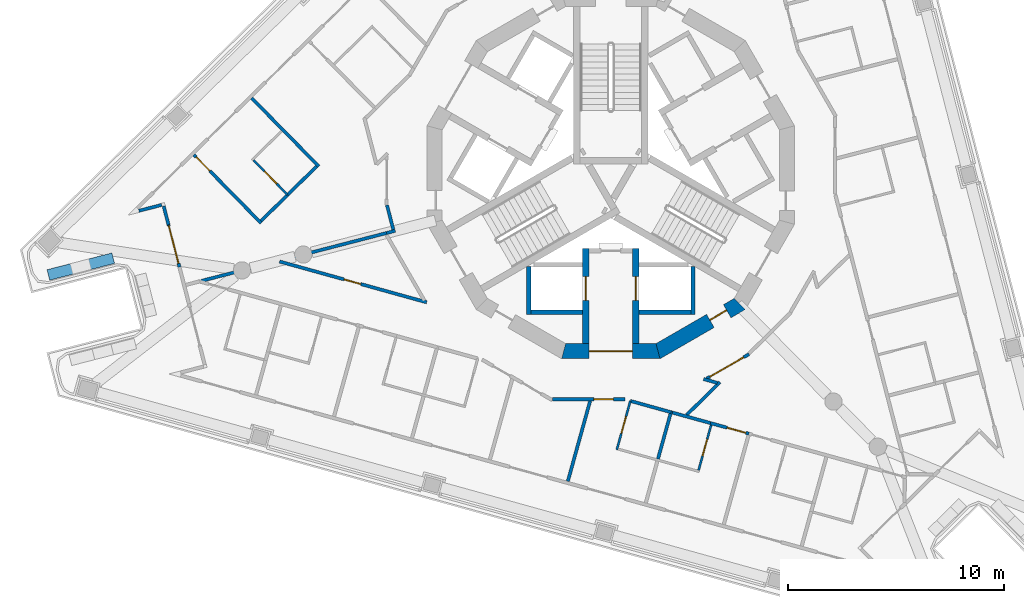
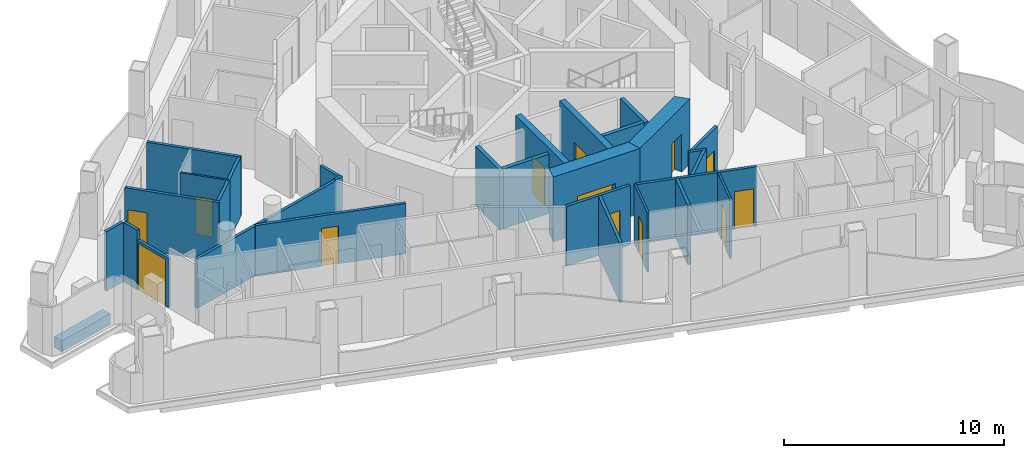
# One storey, part 3 of 15: 32 walls, 13 doors, 13 openings.
"""IFC4 building model written with IfcOpenShell, lengths in metres."""

import ifcopenshell
import ifcopenshell.guid

model = None  # the IFC model being written
_history = None  # IfcOwnerHistory: only IFC2X3 demands one
_inside = {}  # id of a spatial element -> (the spatial element, [elements in it])
_under = {}  # id of a project, library or spatial element -> (it, [spatial elements below it])
_declared = {}  # id of a project -> (the project, [libraries it declares])
_typed = {}  # id of a type object -> (the type object, [elements of that type])
_made_of = {}  # id of a material, layer set ... -> (it, [elements and type objects made of it])


def new_model(schema):
    """Start an empty IFC model of exactly this schema.

    Asked for "IFC4X3", IfcOpenShell would pick the latest addendum, in which some entities
    have other attributes; the version numbers below select the first issue.
    IFC2X3 requires an IfcOwnerHistory on every rooted entity: one is made here for all.
    """
    global model, _history
    if schema == "IFC4X3":
        model = ifcopenshell.file(schema_version=(4, 3, 0, 0))
    else:
        model = ifcopenshell.file(schema=schema)
    _inside.clear()
    _under.clear()
    _declared.clear()
    _typed.clear()
    _made_of.clear()
    _history = None
    if model.schema == "IFC2X3":
        org = make("IfcOrganization", Name="unknown")
        user = make(
            "IfcPersonAndOrganization",
            ThePerson=make("IfcPerson", FamilyName="unknown"),
            TheOrganization=org,
        )
        app = make(
            "IfcApplication",
            ApplicationDeveloper=org,
            Version="unknown",
            ApplicationFullName="unknown",
            ApplicationIdentifier="unknown",
        )
        _history = make(
            "IfcOwnerHistory",
            OwningUser=user,
            OwningApplication=app,
            ChangeAction="ADDED",
            CreationDate=0,
        )
    return model


def make(cls, **values):
    """One entity of the class cls with the attributes given. An attribute that is None is left unset."""
    return model.create_entity(
        cls, **{name: value for name, value in values.items() if value is not None}
    )


def rooted(cls, **values):
    """An entity with a GlobalId (a new one), such as an element, a storey or a relation."""
    return make(cls, GlobalId=ifcopenshell.guid.new(), OwnerHistory=_history, **values)


def si_unit(unit_type, name, prefix=None):
    """IfcSIUnit, for example si_unit("LENGTHUNIT", "METRE", prefix="MILLI")."""
    return make("IfcSIUnit", UnitType=unit_type, Prefix=prefix, Name=name)


def assignment(units):
    """IfcUnitAssignment: the units of a project."""
    return None if units is None else make("IfcUnitAssignment", Units=units)


def point(xyz):
    """IfcCartesianPoint."""
    return None if xyz is None else make("IfcCartesianPoint", Coordinates=xyz)


def direction(xyz):
    """IfcDirection."""
    return None if xyz is None else make("IfcDirection", DirectionRatios=xyz)


def frame(location, z_axis=None, x_axis=None):
    """IfcAxis2Placement3D, a coordinate frame: its origin and axes. An axis left out is left unset."""
    return make(
        "IfcAxis2Placement3D",
        Location=point(location),
        Axis=direction(z_axis),
        RefDirection=direction(x_axis),
    )


def frame_2d(location, x_axis=None):
    """IfcAxis2Placement2D, a coordinate frame in the plane: its origin and x axis."""
    return make(
        "IfcAxis2Placement2D", Location=point(location), RefDirection=direction(x_axis)
    )


def origin():
    """The frame at (0, 0, 0) with its axes left unset."""
    return frame((0.0, 0.0, 0.0))


def place(relative_to, where):
    """IfcLocalPlacement: puts the frame where relative to a parent placement (None: the world)."""
    return make(
        "IfcLocalPlacement", PlacementRelTo=relative_to, RelativePlacement=where
    )


def context(
    kind, dimensions, precision=None, world=None, true_north=None, identifier=None
):
    """IfcGeometricRepresentationContext, for example the 3D "Model" context."""
    return make(
        "IfcGeometricRepresentationContext",
        ContextIdentifier=identifier,
        ContextType=kind,
        CoordinateSpaceDimension=dimensions,
        Precision=precision,
        WorldCoordinateSystem=world,
        TrueNorth=true_north,
    )


def subcontext(parent, identifier, kind, view, scale=None):
    """IfcGeometricRepresentationSubContext, for example "Body" below "Model"."""
    return make(
        "IfcGeometricRepresentationSubContext",
        ContextIdentifier=identifier,
        ContextType=kind,
        ParentContext=parent,
        TargetScale=scale,
        TargetView=view,
    )


def project(units=None, contexts=None):
    """IfcProject with its units and contexts."""
    return rooted(
        "IfcProject",
        Name="project",
        RepresentationContexts=contexts,
        UnitsInContext=assignment(units),
    )


def spatial(cls, under=None, at=None, **own):
    """A site, building, storey or space (cls), placed at a placement, below another one or the project."""
    s = rooted(cls, ObjectPlacement=at, **own)
    if under is not None:
        _under.setdefault(under.id(), (under, []))[1].append(s)
    return s


def polyline(points):
    """IfcPolyline through the points."""
    return make("IfcPolyline", Points=[point(p) for p in points])


def profile(cls, at=None, kind="AREA", **sizes):
    """A parametric profile (cls). Its sizes go by their IFC names, for example OverallWidth=200.0."""
    return make(cls, ProfileType=kind, Position=at, **sizes)


def rectangle(**sizes):
    """IfcRectangleProfileDef."""
    return profile("IfcRectangleProfileDef", **sizes)


def outline(outer, holes=None, kind="AREA"):
    """IfcArbitraryClosedProfileDef: a profile drawn as a closed curve; with holes, ...WithVoids."""
    if holes is None:
        return make("IfcArbitraryClosedProfileDef", ProfileType=kind, OuterCurve=outer)
    return make(
        "IfcArbitraryProfileDefWithVoids",
        ProfileType=kind,
        OuterCurve=outer,
        InnerCurves=holes,
    )


def extrude(swept, where, along, depth):
    """IfcExtrudedAreaSolid: the profile swept, set in the frame where, extruded along a direction by depth."""
    return make(
        "IfcExtrudedAreaSolid",
        SweptArea=swept,
        Position=where,
        ExtrudedDirection=direction(along),
        Depth=depth,
    )


def shape(context_of_items, identifier, shape_type, items):
    """IfcShapeRepresentation: the items that make up one representation, for example the "Body"."""
    return make(
        "IfcShapeRepresentation",
        ContextOfItems=context_of_items,
        RepresentationIdentifier=identifier,
        RepresentationType=shape_type,
        Items=items,
    )


def material(Name=None, Category=None):
    """IfcMaterial."""
    return make("IfcMaterial", Name=Name, Category=Category)


def layer(
    of_material, thickness, ventilated=None, Name=None, Category=None, Priority=None
):
    """IfcMaterialLayer: one layer of a wall or slab, of a material (None: an air gap)."""
    return make(
        "IfcMaterialLayer",
        Material=of_material,
        LayerThickness=thickness,
        IsVentilated=ventilated,
        Name=Name,
        Category=Category,
        Priority=Priority,
    )


def layer_set(layers, Name=None):
    """IfcMaterialLayerSet."""
    return make("IfcMaterialLayerSet", MaterialLayers=layers, LayerSetName=Name)


def made_of(thing, what):
    """Note that an element or type object is made of a material, layer set ...; save() writes the relation."""
    if what is not None:
        _made_of.setdefault(what.id(), (what, []))[1].append(thing)
    return thing


def type_object(cls, material=None, **own):
    """A type object (cls), such as IfcWallType, which elements share."""
    return made_of(rooted(cls, **own), material)


def element(
    cls,
    number,
    at=None,
    inside=None,
    cuts=None,
    type_object=None,
    material=None,
    context=None,
    identifier="Body",
    shape_type=None,
    held_by="IfcProductDefinitionShape",
    body=None,
    shapes=None,
    **own,
):
    """One element of the class cls, such as IfcWall. Its Tag is "e" and its number.

    at: its placement. inside: the storey or other place that contains it. cuts: it is an
    opening in that element (IfcRelVoidsElement). A single representation is given by context,
    identifier, shape_type and body (its items); several are given by shapes. held_by: the class
    of the entity that holds the representations. save() writes the other relations.
    """
    e = rooted(cls, Tag="e%d" % number, ObjectPlacement=at, **own)
    if body is not None:
        shapes = [shape(context, identifier, shape_type, body)]
    if shapes is not None:
        e.Representation = make(held_by, Representations=shapes)
    if inside is not None:
        _inside.setdefault(inside.id(), (inside, []))[1].append(e)
    if cuts is not None:
        rooted(
            "IfcRelVoidsElement", RelatingBuildingElement=cuts, RelatedOpeningElement=e
        )
    if type_object is not None:
        _typed.setdefault(type_object.id(), (type_object, []))[1].append(e)
    return made_of(e, material)


def fill(opening, filler):
    """IfcRelFillsElement: the door or window that sits in an opening."""
    return rooted(
        "IfcRelFillsElement",
        RelatingOpeningElement=opening,
        RelatedBuildingElement=filler,
    )


def aggregate(whole, parts):
    """IfcRelAggregates: a whole, such as a stair, and the parts it consists of."""
    return rooted("IfcRelAggregates", RelatingObject=whole, RelatedObjects=parts)


def save(model, path):
    """Write the relations noted so far, then the file.

    IfcRelAggregates (storeys below a building ...), IfcRelContainedInSpatialStructure (elements
    in a storey), IfcRelDefinesByType, IfcRelAssociatesMaterial and IfcRelDeclares: one each for
    every whole, place, type object, material and project.
    """
    for whole, parts in _under.values():
        aggregate(whole, parts)
    for where, things in _inside.values():
        rooted(
            "IfcRelContainedInSpatialStructure",
            RelatedElements=things,
            RelatingStructure=where,
        )
    for kind, things in _typed.values():
        rooted("IfcRelDefinesByType", RelatedObjects=things, RelatingType=kind)
    for what, things in _made_of.values():
        rooted("IfcRelAssociatesMaterial", RelatedObjects=things, RelatingMaterial=what)
    for by, libraries in _declared.values():
        rooted("IfcRelDeclares", RelatingContext=by, RelatedDefinitions=libraries)
    model.write(path)


model = new_model("IFC4")

# Units and contexts
model_context = context("Model", 3, precision=1e-05, world=origin(), true_north=direction((0.0, 1.0)))
body_context = subcontext(model_context, "Body", "Model", "MODEL_VIEW")
ifc_project = project(units=[si_unit("LENGTHUNIT", "METRE"), si_unit("AREAUNIT", "SQUARE_METRE"), si_unit("VOLUMEUNIT", "CUBIC_METRE"), si_unit("PLANEANGLEUNIT", "RADIAN"), si_unit("MASSUNIT", "GRAM", prefix="KILO")], contexts=[model_context])

# Site, building, storey
site_placement = place(None, origin())
site = spatial("IfcSite", under=ifc_project, at=site_placement, CompositionType="ELEMENT")
building_placement = place(site_placement, origin())
building = spatial("IfcBuilding", under=site, at=building_placement, Name="Trine Commons Tower", CompositionType="ELEMENT")
storey_placement = place(building_placement, frame((0.0, 0.0, 260.10009765625)))
storey = spatial("IfcBuildingStorey", under=building, at=storey_placement, Name="L68", CompositionType="ELEMENT", Elevation=260.10009765625)

# Wall, opening, door
ifc_material_1 = material(Name="Aluminium-framed insulated wall panel", Category="aluminium")
ifc_layer_1 = layer(ifc_material_1, 0.14990234375)
ifc_layer_set_1 = layer_set([ifc_layer_1], Name="Aluminium-framed insulated wall panel")
wall_type_1 = type_object("IfcWallType", Name="Glazed frame wall 150, EI 60", PredefinedType="SOLIDWALL", material=ifc_layer_set_1)
wall_1_placement = place(storey_placement, frame((60.0390625, 58.2451171875, 0.0), z_axis=(0.0, 0.0, 1.0), x_axis=(-0.250341838346, 0.968157509899, 0.0)))
wall_1 = element("IfcWall", 1, at=wall_1_placement, inside=storey, type_object=wall_type_1, Name="Glazed frame wall P3.4", PredefinedType="SOLIDWALL", context=body_context, shape_type="SweptSolid", body=[
    extrude(outline(polyline([(0.0, -0.074951171875), (2.021484375, -0.074951171875), (2.021484375, 0.074951171875), (0.0, 0.074951171875), (0.0, -0.074951171875)])), origin(), (0.0, 0.0, 1.0), 2.75),
])
opening_1_placement = place(wall_1_placement, frame((0.17138671875, 0.0, 0.0)))
opening_1 = element("IfcOpeningElement", 2, at=opening_1_placement, cuts=wall_1, Name="Opening BD-7P3-02", PredefinedType="OPENING", context=body_context, shape_type="SweptSolid", body=[
    extrude(rectangle(XDim=1.800048828125, YDim=2.60009765625, at=frame_2d((0.89990234375, 1.300048828125))), frame((0.0, 0.0849609375, 0.0), z_axis=(0.0, -1.0, 0.0), x_axis=(1.0, 0.0, 0.0)), (0.0, 0.0, 1.0), 0.169921875),
])
ifc_material_2 = material(Name="Anodised aluminium frame with double glazing", Category="aluminium")
door_type_1 = type_object("IfcDoorType", Name="Sliding loggia door 1800x2600", OperationType="SLIDING_TO_LEFT", PredefinedType="DOOR", material=ifc_material_2)
door_1_placement = place(opening_1_placement, origin())
door_1 = element("IfcDoor", 3, at=door_1_placement, inside=storey, type_object=door_type_1, Name="Loggia door P3 2", OperationType="SLIDING_TO_LEFT", OverallHeight=2.60009765625, OverallWidth=1.800048828125, PredefinedType="DOOR", context=body_context, shape_type="SweptSolid", body=[
    extrude(rectangle(XDim=1.800048828125, YDim=2.60009765625, at=frame_2d((0.89990234375, 1.300048828125))), frame((0.0, 0.02490234375, 0.0), z_axis=(0.0, -1.0, 0.0), x_axis=(1.0, 0.0, 0.0)), (0.0, 0.0, 1.0), 0.050048828125),
])
fill(opening_1, door_1)

# Walls
wall_2_placement = place(storey_placement, frame((59.532958984375, 60.202392578125, 0.0), z_axis=(0.0, 0.0, 1.0), x_axis=(-0.250284169086, 0.968172419926, 0.0)))
element("IfcWall", 4, at=wall_2_placement, inside=storey, type_object=wall_type_1, Name="Glazed frame wall P3.5", PredefinedType="SOLIDWALL", context=body_context, shape_type="SweptSolid", body=[
    extrude(outline(polyline([(0.889892578125, 0.074951171875), (0.0, 0.074951171875), (0.0, -0.074951171875), (0.889892578125, -0.074951171875), (0.889892578125, 0.074951171875)])), origin(), (0.0, 0.0, 1.0), 3.2998046875),
])
wall_3_placement = place(storey_placement, frame((59.3251953125, 61.145263671875, 0.0), z_axis=(0.0, 0.0, 1.0), x_axis=(-0.968156774456, -0.250344682538, 0.0)))
element("IfcWall", 5, at=wall_3_placement, inside=storey, type_object=wall_type_1, Name="Glazed frame wall R12", PredefinedType="SOLIDWALL", context=body_context, shape_type="SweptSolid", body=[
    extrude(outline(polyline([(0.110107421875, 0.074951171875), (0.110107421875, -0.074951171875), (1.19580078125, -0.074951171875), (1.19580078125, 0.074951171875), (0.110107421875, 0.074951171875)])), origin(), (0.0, 0.0, 1.0), 3.2998046875),
])
ifc_material_3 = material(Name="Planter trough, precast concrete C40/50", Category="concrete")
ifc_layer_2 = layer(ifc_material_3, 0.5)
ifc_layer_set_2 = layer_set([ifc_layer_2], Name="Planter trough, precast concrete C40/50")
wall_type_2 = type_object("IfcWallType", Name="Planter trough 500x600", PredefinedType="PARAPET", material=ifc_layer_set_2)
wall_4_placement = place(storey_placement, frame((56.974609375, 58.65234375, 0.0), z_axis=(0.0, 0.0, 1.0), x_axis=(-0.968151190511, -0.250366276306, 0.0)))
element("IfcWall", 6, at=wall_4_placement, inside=storey, type_object=wall_type_2, Name="Planter 3", PredefinedType="PARAPET", context=body_context, shape_type="SweptSolid", body=[
    extrude(rectangle(XDim=3.099853515625, YDim=0.5, at=frame_2d((1.5498046875, 0.0))), origin(), (0.0, 0.0, 1.0), 0.599853515625),
])

# Wall, opening, door
ifc_material_4 = material(Name="Concrete C50/60", Category="concrete")
ifc_layer_3 = layer(ifc_material_4, 0.300048828125)
ifc_layer_set_3 = layer_set([ifc_layer_3], Name="Concrete C50/60")
wall_type_3 = type_object("IfcWallType", Name="RC shear wall 300 mm, C50/60", PredefinedType="SHEAR", material=ifc_layer_set_3)
wall_5_placement = place(storey_placement, frame((78.85009765625, 59.10009765625, 0.0), z_axis=(0.0, 0.0, 1.0), x_axis=(0.0, -1.0, 0.0)))
wall_5 = element("IfcWall", 7, at=wall_5_placement, inside=storey, type_object=wall_type_3, Name="Core cross wall SWC-03 L68", PredefinedType="SHEAR", context=body_context, shape_type="SweptSolid", body=[
    extrude(rectangle(XDim=4.400146484375, YDim=0.300048828125, at=frame_2d((2.2001953125, 0.0))), origin(), (0.0, 0.0, 1.0), 3.599853515625),
])
opening_2_placement = place(wall_5_placement, frame((1.300048828125, 0.0, 0.0)))
opening_2 = element("IfcOpeningElement", 8, at=opening_2_placement, cuts=wall_5, Name="Opening LD10", PredefinedType="OPENING", context=body_context, shape_type="SweptSolid", body=[
    extrude(rectangle(XDim=1.10009765625, YDim=2.10009765625, at=frame_2d((0.550048828125, 1.050048828125))), frame((0.0, 0.159912109375, 0.0), z_axis=(0.0, -1.0, 0.0), x_axis=(1.0, 0.0, 0.0)), (0.0, 0.0, 1.0), 0.320068359375),
])
ifc_material_5 = material(Name="Stainless steel sliding door leaves", Category="steel")
door_type_2 = type_object("IfcDoorType", Name="Lift landing door, centre-opening sliding 1100 x 2100, FD90", OperationType="DOUBLE_DOOR_SLIDING", PredefinedType="DOOR", material=ifc_material_5)
door_2_placement = place(opening_2_placement, origin())
door_2 = element("IfcDoor", 9, at=door_2_placement, inside=storey, type_object=door_type_2, Name="Lift landing door FF2 L68", OperationType="DOUBLE_DOOR_SLIDING", OverallHeight=2.10009765625, OverallWidth=1.10009765625, PredefinedType="DOOR", context=body_context, shape_type="SweptSolid", body=[
    extrude(rectangle(XDim=1.10009765625, YDim=2.10009765625, at=frame_2d((0.550048828125, 1.050048828125))), frame((0.0, 0.02490234375, 0.0), z_axis=(0.0, -1.0, 0.0), x_axis=(1.0, 0.0, 0.0)), (0.0, 0.0, 1.0), 0.050048828125),
])
fill(opening_2, door_2)

wall_6_placement = place(storey_placement, frame((81.14990234375, 59.10009765625, 0.0), z_axis=(0.0, 0.0, 1.0), x_axis=(0.0, -1.0, 0.0)))
wall_6 = element("IfcWall", 10, at=wall_6_placement, inside=storey, type_object=wall_type_3, Name="Core cross wall SWC-04 L68", PredefinedType="SHEAR", context=body_context, shape_type="SweptSolid", body=[
    extrude(rectangle(XDim=4.400146484375, YDim=0.300048828125, at=frame_2d((2.2001953125, 0.0))), origin(), (0.0, 0.0, 1.0), 3.599853515625),
])
opening_3_placement = place(wall_6_placement, frame((1.300048828125, 0.0, 0.0)))
opening_3 = element("IfcOpeningElement", 11, at=opening_3_placement, cuts=wall_6, Name="Opening LD9", PredefinedType="OPENING", context=body_context, shape_type="SweptSolid", body=[
    extrude(rectangle(XDim=1.10009765625, YDim=2.10009765625, at=frame_2d((0.550048828125, 1.050048828125))), frame((0.0, 0.159912109375, 0.0), z_axis=(0.0, -1.0, 0.0), x_axis=(1.0, 0.0, 0.0)), (0.0, 0.0, 1.0), 0.320068359375),
])
door_3_placement = place(opening_3_placement, origin())
door_3 = element("IfcDoor", 12, at=door_3_placement, inside=storey, type_object=door_type_2, Name="Lift landing door FF1 L68", OperationType="DOUBLE_DOOR_SLIDING", OverallHeight=2.10009765625, OverallWidth=1.10009765625, PredefinedType="DOOR", context=body_context, shape_type="SweptSolid", body=[
    extrude(rectangle(XDim=1.10009765625, YDim=2.10009765625, at=frame_2d((0.550048828125, 1.050048828125))), frame((0.0, 0.02490234375, 0.0), z_axis=(0.0, -1.0, 0.0), x_axis=(1.0, 0.0, 0.0)), (0.0, 0.0, 1.0), 0.050048828125),
])
fill(opening_3, door_3)

ifc_layer_4 = layer(ifc_material_4, 0.699951171875)
ifc_layer_set_4 = layer_set([ifc_layer_4], Name="Concrete C50/60")
wall_type_4 = type_object("IfcWallType", Name="RC shear wall 700 mm, C50/60", PredefinedType="SHEAR", material=ifc_layer_set_4)
wall_7_placement = place(storey_placement, frame((77.722412109375, 54.349853515625, 0.0), z_axis=(0.0, 0.0, 1.0), x_axis=(1.0, 0.0, 0.0)))
wall_7 = element("IfcWall", 13, at=wall_7_placement, inside=storey, type_object=wall_type_4, Name="Core wall CWG-10 L68", PredefinedType="SHEAR", context=body_context, shape_type="SweptSolid", body=[
    extrude(outline(polyline([(0.0, -0.35009765625), (4.55517578125, -0.35009765625), (4.36767578125, 0.35009765625), (0.1875, 0.35009765625), (0.0, -0.35009765625)])), origin(), (0.0, 0.0, 1.0), 3.599853515625),
])
opening_4_placement = place(wall_7_placement, frame((1.277587890625, 0.0, 0.0)))
opening_4 = element("IfcOpeningElement", 14, at=opening_4_placement, cuts=wall_7, Name="Opening K16.08", PredefinedType="OPENING", context=body_context, shape_type="SweptSolid", body=[
    extrude(rectangle(XDim=2.0, YDim=2.10009765625, at=frame_2d((1.0, 1.050048828125))), frame((0.0, 0.35986328125, 0.0), z_axis=(0.0, -1.0, 0.0), x_axis=(1.0, 0.0, 0.0)), (0.0, 0.0, 1.0), 0.719970703125),
])
ifc_material_6 = material(Name="Steel door leaves, fire-rated", Category="steel")
door_type_3 = type_object("IfcDoorType", Name="Lobby door, double leaf 2000 x 2100, FD60", OperationType="DOUBLE_DOOR_SINGLE_SWING", PredefinedType="DOOR", material=ifc_material_6)
door_4_placement = place(opening_4_placement, origin())
door_4 = element("IfcDoor", 15, at=door_4_placement, inside=storey, type_object=door_type_3, Name="Lobby door, Service and firefighting lobby L68", OperationType="DOUBLE_DOOR_SINGLE_SWING", OverallHeight=2.10009765625, OverallWidth=2.0, PredefinedType="DOOR", context=body_context, shape_type="SweptSolid", body=[
    extrude(rectangle(XDim=2.0, YDim=2.10009765625, at=frame_2d((1.0, 1.050048828125))), frame((0.0, 0.02490234375, 0.0), z_axis=(0.0, -1.0, 0.0), x_axis=(1.0, 0.0, 0.0)), (0.0, 0.0, 1.0), 0.050048828125),
])
fill(opening_4, door_4)

wall_8_placement = place(storey_placement, frame((82.1025390625, 54.302978515625, 0.0), z_axis=(0.0, 0.0, 1.0), x_axis=(0.866034756103, 0.499983800959, 0.0)))
wall_8 = element("IfcWall", 16, at=wall_8_placement, inside=storey, type_object=wall_type_4, Name="Core wall CWG-11 L68", PredefinedType="SHEAR", context=body_context, shape_type="SweptSolid", body=[
    extrude(outline(polyline([(0.0, -0.35009765625), (4.55517578125, -0.35009765625), (4.36767578125, 0.35009765625), (0.1875, 0.35009765625), (0.0, -0.35009765625)])), origin(), (0.0, 0.0, 1.0), 3.599853515625),
])
opening_5_placement = place(wall_8_placement, frame((2.891845703125, 0.0, 0.0)))
opening_5 = element("IfcOpeningElement", 17, at=opening_5_placement, cuts=wall_8, Name="Opening K16.16", PredefinedType="OPENING", context=body_context, shape_type="SweptSolid", body=[
    extrude(rectangle(XDim=0.89990234375, YDim=2.10009765625, at=frame_2d((0.449951171875, 1.050048828125))), frame((0.0, 0.35986328125, 0.0), z_axis=(0.0, -1.0, 0.0), x_axis=(1.0, 0.0, 0.0)), (0.0, 0.0, 1.0), 0.719970703125),
])
ifc_material_7 = material(Name="Steel door leaf, fire-rated", Category="steel")
door_type_4 = type_object("IfcDoorType", Name="Core room door, single leaf 900 x 2100, FD30S", OperationType="SINGLE_SWING_LEFT", PredefinedType="DOOR", material=ifc_material_7)
door_5_placement = place(opening_5_placement, origin())
door_5 = element("IfcDoor", 18, at=door_5_placement, inside=storey, type_object=door_type_4, Name="Door to Core WC L68", OperationType="SINGLE_SWING_RIGHT", OverallHeight=2.10009765625, OverallWidth=0.89990234375, PredefinedType="DOOR", context=body_context, shape_type="SweptSolid", body=[
    extrude(rectangle(XDim=0.89990234375, YDim=2.10009765625, at=frame_2d((0.449951171875, 1.050048828125))), frame((0.0, 0.0751953125, 0.0), z_axis=(0.0, -1.0, 0.0), x_axis=(1.0, 0.0, 0.0)), (0.0, 0.0, 1.0), 0.050048828125),
])
fill(opening_5, door_5)

# Walls
ifc_material_8 = material(Name="Fire-rated gypsum shaft wall system")
ifc_layer_5 = layer(ifc_material_8, 0.199951171875)
ifc_layer_set_5 = layer_set([ifc_layer_5], Name="Fire-rated gypsum shaft wall system")
wall_type_5 = type_object("IfcWallType", Name="Shaft wall 200 mm, EI 120", PredefinedType="PARTITIONING", material=ifc_layer_set_5)
wall_9_placement = place(storey_placement, frame((76.199951171875, 58.257080078125, 0.0), z_axis=(0.0, 0.0, 1.0), x_axis=(0.0, -1.0, 0.0)))
element("IfcWall", 19, at=wall_9_placement, inside=storey, type_object=wall_type_5, Name="Shaft wall L68", PredefinedType="PARTITIONING", context=body_context, shape_type="SweptSolid", body=[
    extrude(rectangle(XDim=2.20703125, YDim=0.199951171875, at=frame_2d((1.103515625, 0.0))), origin(), (0.0, 0.0, 1.0), 3.2998046875),
])
for number, where, z_axis, x_axis, name in (
    (20, (78.699951171875, 56.14990234375, 0.0), (0.0, 0.0, 1.0), (-1.0, 0.0, 0.0), "Shaft wall L68"),
    (21, (81.300048828125, 56.14990234375, 0.0), (0.0, 0.0, 1.0), (1.0, 0.0, 0.0), "Shaft wall L68"),
):
    element("IfcWall", number, at=place(storey_placement, frame(where, z_axis=z_axis, x_axis=x_axis)), inside=storey, type_object=wall_type_5, Name=name, PredefinedType="PARTITIONING", context=body_context, shape_type="SweptSolid", body=[
        extrude(rectangle(XDim=2.39990234375, YDim=0.199951171875, at=frame_2d((1.199951171875, 0.0))), origin(), (0.0, 0.0, 1.0), 3.2998046875),
    ])
wall_10_placement = place(storey_placement, frame((83.800048828125, 58.257080078125, 0.0), z_axis=(0.0, 0.0, 1.0), x_axis=(0.0, -1.0, 0.0)))
element("IfcWall", 22, at=wall_10_placement, inside=storey, type_object=wall_type_5, Name="Shaft wall L68", PredefinedType="PARTITIONING", context=body_context, shape_type="SweptSolid", body=[
    extrude(rectangle(XDim=2.20703125, YDim=0.199951171875, at=frame_2d((1.103515625, 0.0))), origin(), (0.0, 0.0, 1.0), 3.2998046875),
])

# Wall, opening, door
ifc_material_9 = material(Name="Gypsum plasterboard on steel stud", Category="steel")
ifc_layer_6 = layer(ifc_material_9, 0.14990234375)
ifc_layer_set_6 = layer_set([ifc_layer_6], Name="Gypsum plasterboard on steel stud")
wall_type_6 = type_object("IfcWallType", Name="Unit and corridor wall 150 mm, EI 60", PredefinedType="PARTITIONING", material=ifc_layer_set_6)
wall_11_placement = place(storey_placement, frame((60.7119140625, 63.4375, 0.0), z_axis=(0.0, 0.0, 1.0), x_axis=(0.700942148678, -0.713218132276, 0.0)))
wall_11 = element("IfcWall", 23, at=wall_11_placement, inside=storey, type_object=wall_type_6, Name="Partition 002", PredefinedType="PARTITIONING", context=body_context, shape_type="SweptSolid", body=[
    extrude(rectangle(XDim=4.43505859375, YDim=0.14990234375, at=frame_2d((2.217529296875, 0.0))), origin(), (0.0, 0.0, 1.0), 3.2998046875),
])
opening_6_placement = place(wall_11_placement, frame((0.14990234375, 0.0, 0.0)))
opening_6 = element("IfcOpeningElement", 24, at=opening_6_placement, cuts=wall_11, Name="Opening D-7C04", PredefinedType="OPENING", context=body_context, shape_type="SweptSolid", body=[
    extrude(rectangle(XDim=0.89990234375, YDim=2.10009765625, at=frame_2d((0.449951171875, 1.050048828125))), frame((0.0, 0.0849609375, 0.0), z_axis=(0.0, -1.0, 0.0), x_axis=(1.0, 0.0, 0.0)), (0.0, 0.0, 1.0), 0.169921875),
])
ifc_material_10 = material(Name="Timber fire door set", Category="wood")
door_type_5 = type_object("IfcDoorType", Name="Bedroom door 900 x 2100, FD30S", OperationType="NOTDEFINED", PredefinedType="DOOR", material=ifc_material_10)
door_6_placement = place(opening_6_placement, origin())
door_6 = element("IfcDoor", 25, at=door_6_placement, inside=storey, type_object=door_type_5, Name="Door D-7C04", OperationType="SINGLE_SWING_LEFT", OverallHeight=2.10009765625, OverallWidth=0.89990234375, PredefinedType="DOOR", context=body_context, shape_type="SweptSolid", body=[
    extrude(rectangle(XDim=0.89990234375, YDim=2.10009765625, at=frame_2d((0.449951171875, 1.050048828125))), frame((0.0, 0.02490234375, 0.0), z_axis=(0.0, -1.0, 0.0), x_axis=(1.0, 0.0, 0.0)), (0.0, 0.0, 1.0), 0.050048828125),
])
fill(opening_6, door_6)

# Walls
wall_12_placement = place(storey_placement, frame((61.043701171875, 57.597900390625, 0.0), z_axis=(0.0, 0.0, 1.0), x_axis=(0.968149558091, 0.25037258869, 0.0)))
element("IfcWall", 26, at=wall_12_placement, inside=storey, type_object=wall_type_6, Name="Partition 004", PredefinedType="PARTITIONING", context=body_context, shape_type="SweptSolid", body=[
    extrude(rectangle(XDim=8.86767578125, YDim=0.14990234375, at=frame_2d((4.433837890625, 0.0))), origin(), (0.0, 0.0, 1.0), 2.75),
])
wall_13_placement = place(storey_placement, frame((63.382080078125, 66.060546875, 0.0), z_axis=(0.0, 0.0, 1.0), x_axis=(0.700914144597, -0.713245653267, 0.0)))
element("IfcWall", 27, at=wall_13_placement, inside=storey, type_object=wall_type_6, Name="Partition 007", PredefinedType="PARTITIONING", context=body_context, shape_type="SweptSolid", body=[
    extrude(rectangle(XDim=4.434814453125, YDim=0.14990234375, at=frame_2d((2.21728515625, 0.0))), origin(), (0.0, 0.0, 1.0), 3.2998046875),
])
wall_14_placement = place(storey_placement, frame((63.821533203125, 60.380615234375, 0.0), z_axis=(0.0, 0.0, 1.0), x_axis=(0.713529170303, 0.700625522748, 0.0)))
element("IfcWall", 28, at=wall_14_placement, inside=storey, type_object=wall_type_6, Name="Partition 011", PredefinedType="PARTITIONING", context=body_context, shape_type="SweptSolid", body=[
    extrude(rectangle(XDim=1.7216796875, YDim=0.14990234375, at=frame_2d((0.86083984375, 0.0))), origin(), (0.0, 0.0, 1.0), 3.2998046875),
])

# Wall, opening, door
wall_15_placement = place(storey_placement, frame((64.67333984375, 58.498046875, 0.0), z_axis=(0.0, 0.0, 1.0), x_axis=(0.963632187737, -0.267232121491, 0.0)))
wall_15 = element("IfcWall", 29, at=wall_15_placement, inside=storey, type_object=wall_type_6, Name="Partition 015", PredefinedType="PARTITIONING", context=body_context, shape_type="SweptSolid", body=[
    extrude(rectangle(XDim=7.064697265625, YDim=0.14990234375, at=frame_2d((3.5322265625, 0.0))), origin(), (0.0, 0.0, 1.0), 2.7998046875),
])
opening_7_placement = place(wall_15_placement, frame((3.094970703125, 0.0, 0.0)))
opening_7 = element("IfcOpeningElement", 30, at=opening_7_placement, cuts=wall_15, Name="Opening D-7C27", PredefinedType="OPENING", context=body_context, shape_type="SweptSolid", body=[
    extrude(rectangle(XDim=0.800048828125, YDim=2.10009765625, at=frame_2d((0.39990234375, 1.050048828125))), frame((0.0, 0.0849609375, 0.0), z_axis=(0.0, -1.0, 0.0), x_axis=(1.0, 0.0, 0.0)), (0.0, 0.0, 1.0), 0.169921875),
])
ifc_material_11 = material(Name="Painted timber", Category="wood")
door_type_6 = type_object("IfcDoorType", Name="Toilet door 800 x 2100, NOT RATED", OperationType="NOTDEFINED", PredefinedType="DOOR", material=ifc_material_11)
door_7_placement = place(opening_7_placement, origin())
door_7 = element("IfcDoor", 31, at=door_7_placement, inside=storey, type_object=door_type_6, Name="Door D-7C27", OperationType="SINGLE_SWING_LEFT", OverallHeight=2.10009765625, OverallWidth=0.800048828125, PredefinedType="DOOR", context=body_context, shape_type="SweptSolid", body=[
    extrude(rectangle(XDim=0.800048828125, YDim=2.10009765625, at=frame_2d((0.39990234375, 1.050048828125))), frame((0.0, 0.02490234375, 0.0), z_axis=(0.0, -1.0, 0.0), x_axis=(1.0, 0.0, 0.0)), (0.0, 0.0, 1.0), 0.050048828125),
])
fill(opening_7, door_7)

# Walls
wall_16_placement = place(storey_placement, frame((65.0439453125, 61.5810546875, 0.0), z_axis=(0.0, 0.0, 1.0), x_axis=(0.713249843404, 0.700909880715, 0.0)))
element("IfcWall", 32, at=wall_16_placement, inside=storey, type_object=wall_type_6, Name="Partition 016", PredefinedType="PARTITIONING", context=body_context, shape_type="SweptSolid", body=[
    extrude(rectangle(XDim=1.879638671875, YDim=0.14990234375, at=frame_2d((0.93994140625, 0.0))), origin(), (0.0, 0.0, 1.0), 3.2998046875),
])
wall_17_placement = place(storey_placement, frame((69.625, 59.81689453125, 0.0), z_axis=(0.0, 0.0, 1.0), x_axis=(0.968355193071, 0.249576080688, 0.0)))
element("IfcWall", 33, at=wall_17_placement, inside=storey, type_object=wall_type_6, Name="Partition 031", PredefinedType="PARTITIONING", context=body_context, shape_type="SweptSolid", body=[
    extrude(rectangle(XDim=0.415771484375, YDim=0.14990234375, at=frame_2d((0.2080078125, 0.0))), origin(), (0.0, 0.0, 1.0), 2.7998046875),
])
wall_18_placement = place(storey_placement, frame((69.643798828125, 61.107421875, 0.0), z_axis=(0.0, 0.0, 1.0), x_axis=(0.249991617467, -0.968248000874, 0.0)))
element("IfcWall", 34, at=wall_18_placement, inside=storey, type_object=wall_type_6, Name="Partition 033", PredefinedType="PARTITIONING", context=body_context, shape_type="SweptSolid", body=[
    extrude(rectangle(XDim=1.169921875, YDim=0.14990234375, at=frame_2d((0.5849609375, 0.0))), origin(), (0.0, 0.0, 1.0), 2.7998046875),
])

# Wall, opening, door
wall_19_placement = place(storey_placement, frame((77.294921875, 52.125, 0.0), z_axis=(0.0, 0.0, 1.0), x_axis=(1.0, 0.0, 0.0)))
wall_19 = element("IfcWall", 35, at=wall_19_placement, inside=storey, type_object=wall_type_6, Name="Partition 051", PredefinedType="PARTITIONING", context=body_context, shape_type="SweptSolid", body=[
    extrude(rectangle(XDim=3.35595703125, YDim=0.14990234375, at=frame_2d((1.677978515625, 0.0))), origin(), (0.0, 0.0, 1.0), 3.2998046875),
])
opening_8_placement = place(wall_19_placement, frame((1.919921875, 0.0, 0.0)))
opening_8 = element("IfcOpeningElement", 36, at=opening_8_placement, cuts=wall_19, Name="Opening D-7C21", PredefinedType="OPENING", context=body_context, shape_type="SweptSolid", body=[
    extrude(rectangle(XDim=0.89990234375, YDim=2.10009765625, at=frame_2d((0.449951171875, 1.050048828125))), frame((0.0, 0.0849609375, 0.0), z_axis=(0.0, -1.0, 0.0), x_axis=(1.0, 0.0, 0.0)), (0.0, 0.0, 1.0), 0.169921875),
])
door_8_placement = place(opening_8_placement, frame((0.89990234375, 0.0, 0.0), z_axis=(0.0, 0.0, 1.0), x_axis=(-1.0, 0.0, 0.0)))
door_8 = element("IfcDoor", 37, at=door_8_placement, inside=storey, type_object=door_type_5, Name="Door D-7C21", OperationType="SINGLE_SWING_LEFT", OverallHeight=2.10009765625, OverallWidth=0.89990234375, PredefinedType="DOOR", context=body_context, shape_type="SweptSolid", body=[
    extrude(rectangle(XDim=0.89990234375, YDim=2.10009765625, at=frame_2d((0.449951171875, 1.050048828125))), frame((0.0, 0.02490234375, 0.0), z_axis=(0.0, -1.0, 0.0), x_axis=(1.0, 0.0, 0.0)), (0.0, 0.0, 1.0), 0.050048828125),
])
fill(opening_8, door_8)

# Walls
wall_20_placement = place(storey_placement, frame((78.01171875, 48.32861328125, 0.0), z_axis=(0.0, 0.0, 1.0), x_axis=(0.267337590954, 0.963602932988, 0.0)))
element("IfcWall", 38, at=wall_20_placement, inside=storey, type_object=wall_type_6, Name="Partition 052", PredefinedType="PARTITIONING", context=body_context, shape_type="SweptSolid", body=[
    extrude(rectangle(XDim=3.86474609375, YDim=0.14990234375, at=frame_2d((1.932373046875, 0.0))), origin(), (0.0, 0.0, 1.0), 3.2998046875),
])
wall_21_placement = place(storey_placement, frame((80.90087890625, 52.049072265625, 0.0), z_axis=(0.0, 0.0, 1.0), x_axis=(0.963617907418, -0.267283610613, 0.0)))
element("IfcWall", 39, at=wall_21_placement, inside=storey, type_object=wall_type_6, Name="Partition 061", PredefinedType="PARTITIONING", context=body_context, shape_type="SweptSolid", body=[
    extrude(rectangle(XDim=1.95751953125, YDim=0.14990234375, at=frame_2d((0.978759765625, 0.0))), origin(), (0.0, 0.0, 1.0), 3.2998046875),
])
wall_22_placement = place(storey_placement, frame((82.182373046875, 49.361083984375, 0.0), z_axis=(0.0, 0.0, 1.0), x_axis=(0.267459715807, 0.963569042892, 0.0)))
element("IfcWall", 40, at=wall_22_placement, inside=storey, type_object=wall_type_6, Name="Partition 064", PredefinedType="PARTITIONING", context=body_context, shape_type="SweptSolid", body=[
    extrude(rectangle(XDim=2.324951171875, YDim=0.14990234375, at=frame_2d((1.16259765625, 0.0))), origin(), (0.0, 0.0, 1.0), 3.2998046875),
])
wall_23_placement = place(storey_placement, frame((82.852294921875, 51.508056640625, 0.0), z_axis=(0.0, 0.0, 1.0), x_axis=(0.963942160186, -0.266111840805, 0.0)))
element("IfcWall", 41, at=wall_23_placement, inside=storey, type_object=wall_type_6, Name="Partition 067", PredefinedType="PARTITIONING", context=body_context, shape_type="SweptSolid", body=[
    extrude(rectangle(XDim=1.882568359375, YDim=0.14990234375, at=frame_2d((0.94140625, 0.0))), origin(), (0.0, 0.0, 1.0), 3.2998046875),
])
wall_24_placement = place(storey_placement, frame((83.506591796875, 51.3955078125, 0.0), z_axis=(0.0, 0.0, 1.0), x_axis=(0.712824796749, 0.701342148412, 0.0)))
element("IfcWall", 42, at=wall_24_placement, inside=storey, type_object=wall_type_6, Name="Partition 069", PredefinedType="PARTITIONING", context=body_context, shape_type="SweptSolid", body=[
    extrude(rectangle(XDim=2.168701171875, YDim=0.14990234375, at=frame_2d((1.08447265625, 0.0))), origin(), (0.0, 0.0, 1.0), 3.2998046875),
])
wall_25_placement = place(storey_placement, frame((84.290771484375, 53.058837890625, 0.0), z_axis=(0.0, 0.0, 1.0), x_axis=(0.964146228047, -0.265371533785, 0.0)))
element("IfcWall", 43, at=wall_25_placement, inside=storey, type_object=wall_type_6, Name="Partition 074", PredefinedType="PARTITIONING", context=body_context, shape_type="SweptSolid", body=[
    extrude(rectangle(XDim=0.65966796875, YDim=0.14990234375, at=frame_2d((0.329833984375, 0.0))), origin(), (0.0, 0.0, 1.0), 3.2998046875),
])

# Wall, opening, door
wall_26_placement = place(storey_placement, frame((84.427978515625, 53.076416015625, 0.0), z_axis=(0.0, 0.0, 1.0), x_axis=(0.866072877359, 0.499917764341, 0.0)))
wall_26 = element("IfcWall", 44, at=wall_26_placement, inside=storey, type_object=wall_type_6, Name="Partition 075", PredefinedType="PARTITIONING", context=body_context, shape_type="SweptSolid", body=[
    extrude(rectangle(XDim=2.2724609375, YDim=0.14990234375, at=frame_2d((1.13623046875, 0.0))), origin(), (0.0, 0.0, 1.0), 3.2998046875),
])
opening_9_placement = place(wall_26_placement, frame((0.188720703125, 0.0, 0.0)))
opening_9 = element("IfcOpeningElement", 45, at=opening_9_placement, cuts=wall_26, Name="Opening D-7C02", PredefinedType="OPENING", context=body_context, shape_type="SweptSolid", body=[
    extrude(rectangle(XDim=1.800048828125, YDim=2.10009765625, at=frame_2d((0.89990234375, 1.050048828125))), frame((0.0, 0.0849609375, 0.0), z_axis=(0.0, -1.0, 0.0), x_axis=(1.0, 0.0, 0.0)), (0.0, 0.0, 1.0), 0.169921875),
])
door_type_7 = type_object("IfcDoorType", Name="Cluster entrance door 1800 x 2100, double leaf, FD30S", OperationType="DOUBLE_DOOR_DOUBLE_SWING", PredefinedType="DOOR", material=ifc_material_10)
door_9_placement = place(opening_9_placement, frame((1.800048828125, 0.0, 0.0), z_axis=(0.0, 0.0, 1.0), x_axis=(-1.0, 0.0, 0.0)))
door_9 = element("IfcDoor", 46, at=door_9_placement, inside=storey, type_object=door_type_7, Name="Door D-7C02", OperationType="DOUBLE_DOOR_DOUBLE_SWING", OverallHeight=2.10009765625, OverallWidth=1.800048828125, PredefinedType="DOOR", context=body_context, shape_type="SweptSolid", body=[
    extrude(rectangle(XDim=1.800048828125, YDim=2.10009765625, at=frame_2d((0.89990234375, 1.050048828125))), frame((0.0, 0.02490234375, 0.0), z_axis=(0.0, -1.0, 0.0), x_axis=(1.0, 0.0, 0.0)), (0.0, 0.0, 1.0), 0.050048828125),
])
fill(opening_9, door_9)

wall_27_placement = place(storey_placement, frame((84.61083984375, 51.0224609375, 0.0), z_axis=(0.0, 0.0, 1.0), x_axis=(0.963673001046, -0.267084906077, 0.0)))
wall_27 = element("IfcWall", 47, at=wall_27_placement, inside=storey, type_object=wall_type_6, Name="Partition 076", PredefinedType="PARTITIONING", context=body_context, shape_type="SweptSolid", body=[
    extrude(rectangle(XDim=1.847412109375, YDim=0.14990234375, at=frame_2d((0.923828125, 0.0))), origin(), (0.0, 0.0, 1.0), 3.2998046875),
])
opening_10_placement = place(wall_27_placement, frame((0.79736328125, 0.0, 0.0)))
opening_10 = element("IfcOpeningElement", 48, at=opening_10_placement, cuts=wall_27, Name="Opening D-7C20", PredefinedType="OPENING", context=body_context, shape_type="SweptSolid", body=[
    extrude(rectangle(XDim=0.89990234375, YDim=2.10009765625, at=frame_2d((0.449951171875, 1.050048828125))), frame((0.0, 0.0849609375, 0.0), z_axis=(0.0, -1.0, 0.0), x_axis=(1.0, 0.0, 0.0)), (0.0, 0.0, 1.0), 0.169921875),
])
door_10_placement = place(opening_10_placement, frame((0.89990234375, 0.0, 0.0), z_axis=(0.0, 0.0, 1.0), x_axis=(-1.0, 0.0, 0.0)))
door_10 = element("IfcDoor", 49, at=door_10_placement, inside=storey, type_object=door_type_5, Name="Door D-7C20", OperationType="SINGLE_SWING_LEFT", OverallHeight=2.10009765625, OverallWidth=0.89990234375, PredefinedType="DOOR", context=body_context, shape_type="SweptSolid", body=[
    extrude(rectangle(XDim=0.89990234375, YDim=2.10009765625, at=frame_2d((0.449951171875, 1.050048828125))), frame((0.0, 0.02490234375, 0.0), z_axis=(0.0, -1.0, 0.0), x_axis=(1.0, 0.0, 0.0)), (0.0, 0.0, 1.0), 0.050048828125),
])
fill(opening_10, door_10)

ifc_layer_7 = layer(ifc_material_9, 0.10009765625)
ifc_layer_set_7 = layer_set([ifc_layer_7], Name="Gypsum plasterboard on steel stud")
wall_type_7 = type_object("IfcWallType", Name="Unit partition 100 mm, no rating", PredefinedType="PARTITIONING", material=ifc_layer_set_7)
wall_28_placement = place(storey_placement, frame((63.469970703125, 63.189208984375, 0.0), z_axis=(0.0, 0.0, 1.0), x_axis=(0.700841127081, -0.713317401015, 0.0)))
wall_28 = element("IfcWall", 50, at=wall_28_placement, inside=storey, type_object=wall_type_7, Name="Partition 009", PredefinedType="PARTITIONING", context=body_context, shape_type="SweptSolid", body=[
    extrude(rectangle(XDim=2.250244140625, YDim=0.10009765625, at=frame_2d((1.125, 0.0))), origin(), (0.0, 0.0, 1.0), 3.2998046875),
])
opening_11_placement = place(wall_28_placement, frame((0.72509765625, 0.0, 0.0)))
opening_11 = element("IfcOpeningElement", 51, at=opening_11_placement, cuts=wall_28, Name="Opening D-7C29", PredefinedType="OPENING", context=body_context, shape_type="SweptSolid", body=[
    extrude(rectangle(XDim=0.800048828125, YDim=2.10009765625, at=frame_2d((0.39990234375, 1.050048828125))), frame((0.0, 0.06005859375, 0.0), z_axis=(0.0, -1.0, 0.0), x_axis=(1.0, 0.0, 0.0)), (0.0, 0.0, 1.0), 0.1201171875),
])
door_type_8 = type_object("IfcDoorType", Name="Internal door 800 x 2100, NOT RATED", OperationType="NOTDEFINED", PredefinedType="DOOR", material=ifc_material_11)
door_11_placement = place(opening_11_placement, frame((0.800048828125, 0.0, 0.0), z_axis=(0.0, 0.0, 1.0), x_axis=(-1.0, 0.0, 0.0)))
door_11 = element("IfcDoor", 52, at=door_11_placement, inside=storey, type_object=door_type_8, Name="Door D-7C29", OperationType="SINGLE_SWING_RIGHT", OverallHeight=2.10009765625, OverallWidth=0.800048828125, PredefinedType="DOOR", context=body_context, shape_type="SweptSolid", body=[
    extrude(rectangle(XDim=0.800048828125, YDim=2.10009765625, at=frame_2d((0.39990234375, 1.050048828125))), frame((0.0, 0.02490234375, 0.0), z_axis=(0.0, -1.0, 0.0), x_axis=(1.0, 0.0, 0.0)), (0.0, 0.0, 1.0), 0.050048828125),
])
fill(opening_11, door_11)

wall_29_placement = place(storey_placement, frame((80.276611328125, 49.785888671875, 0.0), z_axis=(0.0, 0.0, 1.0), x_axis=(0.26744022448, 0.963574452925, 0.0)))
wall_29 = element("IfcWall", 53, at=wall_29_placement, inside=storey, type_object=wall_type_7, Name="Partition 058", PredefinedType="PARTITIONING", context=body_context, shape_type="SweptSolid", body=[
    extrude(rectangle(XDim=2.349853515625, YDim=0.10009765625, at=frame_2d((1.1748046875, 0.0))), origin(), (0.0, 0.0, 1.0), 3.2998046875),
])
opening_12_placement = place(wall_29_placement, frame((0.7998046875, 0.0, 0.0)))
opening_12 = element("IfcOpeningElement", 54, at=opening_12_placement, cuts=wall_29, Name="Opening D-7C42", PredefinedType="OPENING", context=body_context, shape_type="SweptSolid", body=[
    extrude(rectangle(XDim=0.800048828125, YDim=2.10009765625, at=frame_2d((0.39990234375, 1.050048828125))), frame((0.0, 0.06005859375, 0.0), z_axis=(0.0, -1.0, 0.0), x_axis=(1.0, 0.0, 0.0)), (0.0, 0.0, 1.0), 0.1201171875),
])
door_12_placement = place(opening_12_placement, origin())
door_12 = element("IfcDoor", 55, at=door_12_placement, inside=storey, type_object=door_type_8, Name="Door D-7C42", OperationType="SINGLE_SWING_RIGHT", OverallHeight=2.10009765625, OverallWidth=0.800048828125, PredefinedType="DOOR", context=body_context, shape_type="SweptSolid", body=[
    extrude(rectangle(XDim=0.800048828125, YDim=2.10009765625, at=frame_2d((0.39990234375, 1.050048828125))), frame((0.0, 0.02490234375, 0.0), z_axis=(0.0, -1.0, 0.0), x_axis=(1.0, 0.0, 0.0)), (0.0, 0.0, 1.0), 0.050048828125),
])
fill(opening_12, door_12)

wall_30_placement = place(storey_placement, frame((84.061279296875, 48.840087890625, 0.0), z_axis=(0.0, 0.0, 1.0), x_axis=(0.26738911175, 0.96358863781, 0.0)))
wall_30 = element("IfcWall", 56, at=wall_30_placement, inside=storey, type_object=wall_type_7, Name="Partition 072", PredefinedType="PARTITIONING", context=body_context, shape_type="SweptSolid", body=[
    extrude(rectangle(XDim=2.1748046875, YDim=0.10009765625, at=frame_2d((1.08740234375, 0.0))), origin(), (0.0, 0.0, 1.0), 3.2998046875),
])
opening_13_placement = place(wall_30_placement, frame((0.6875, 0.0, 0.0)))
opening_13 = element("IfcOpeningElement", 57, at=opening_13_placement, cuts=wall_30, Name="Opening D-7C41", PredefinedType="OPENING", context=body_context, shape_type="SweptSolid", body=[
    extrude(rectangle(XDim=0.800048828125, YDim=2.10009765625, at=frame_2d((0.39990234375, 1.050048828125))), frame((0.0, 0.06005859375, 0.0), z_axis=(0.0, -1.0, 0.0), x_axis=(1.0, 0.0, 0.0)), (0.0, 0.0, 1.0), 0.1201171875),
])
door_13_placement = place(opening_13_placement, frame((0.800048828125, 0.0, 0.0), z_axis=(0.0, 0.0, 1.0), x_axis=(-1.0, 0.0, 0.0)))
door_13 = element("IfcDoor", 58, at=door_13_placement, inside=storey, type_object=door_type_8, Name="Door D-7C41", OperationType="SINGLE_SWING_LEFT", OverallHeight=2.10009765625, OverallWidth=0.800048828125, PredefinedType="DOOR", context=body_context, shape_type="SweptSolid", body=[
    extrude(rectangle(XDim=0.800048828125, YDim=2.10009765625, at=frame_2d((0.39990234375, 1.050048828125))), frame((0.0, 0.02490234375, 0.0), z_axis=(0.0, -1.0, 0.0), x_axis=(1.0, 0.0, 0.0)), (0.0, 0.0, 1.0), 0.050048828125),
])
fill(opening_13, door_13)

save(model, "model.ifc")
